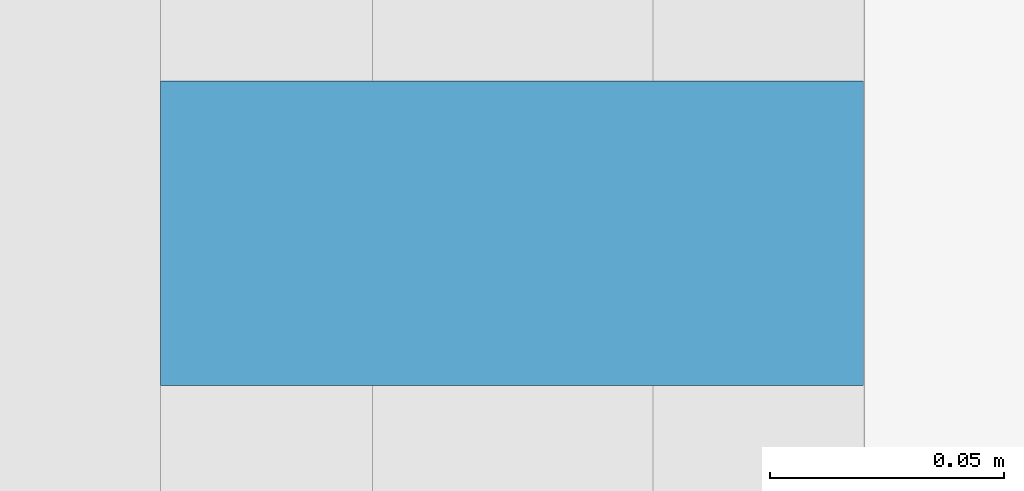
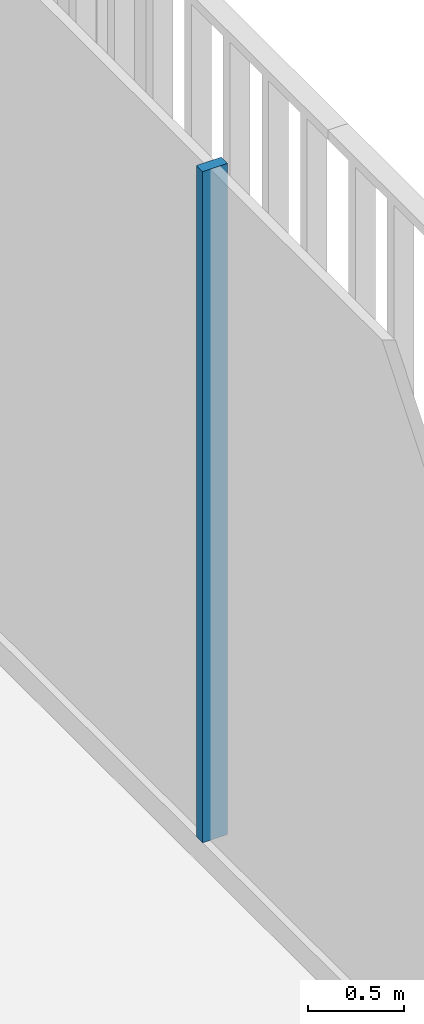
# One storey, part 10 of 20: 1 member, 1 element without a shape of its own.
"""IFC4 building model written with IfcOpenShell, lengths in metres."""

from ifc_helpers import new_model, si_unit, direction, frame, origin, origin_2d, place, context, subcontext, project, spatial, rectangle, extrude, material, layer, layer_set, material_profile, profile_set, type_object, element, aggregate, save


model = new_model("IFC4")

# Units and contexts
model_context = context("Model", 3, precision=1e-05, world=origin(), true_north=direction((0.0, 1.0)))
body_context = subcontext(model_context, "Body", "Model", "MODEL_VIEW")
ifc_project = project(units=[si_unit("LENGTHUNIT", "METRE"), si_unit("AREAUNIT", "SQUARE_METRE"), si_unit("VOLUMEUNIT", "CUBIC_METRE"), si_unit("PLANEANGLEUNIT", "RADIAN"), si_unit("MASSUNIT", "GRAM", prefix="KILO")], contexts=[model_context])

# Site, building, storey
site_placement = place(None, origin())
site = spatial("IfcSite", under=ifc_project, at=site_placement, CompositionType="ELEMENT")
building_placement = place(site_placement, origin())
building = spatial("IfcBuilding", under=site, at=building_placement, Name="Millrace Tower", CompositionType="ELEMENT")
storey_placement = place(building_placement, frame((0.0, 0.0, 108.39990234375)))
storey = spatial("IfcBuildingStorey", under=building, at=storey_placement, Name="L24", CompositionType="ELEMENT", Elevation=108.39990234375)

# Curtain wall, member
ifc_material_1 = material(Name="Aluminium and glass", Category="aluminium")
ifc_layer = layer(ifc_material_1, 0.14990234375)
ifc_layer_set = layer_set([ifc_layer], Name="Aluminium and glass")
curtain_wall_type = type_object("IfcCurtainWallType", Name="CW-3 telecom floor curtain wall", PredefinedType="NOTDEFINED", material=ifc_layer_set)
curtain_wall_placement = place(storey_placement, origin())
curtain_wall = element("IfcCurtainWall", 1, at=curtain_wall_placement, inside=storey, type_object=curtain_wall_type, Name="Curtain wall B-F04 L24", PredefinedType="NOTDEFINED")
ifc_material_2 = material(Name="Aluminium", Category="aluminium")
ifc_material_profile = material_profile(ifc_material_2, rectangle(XDim=0.06494140625, YDim=0.14990234375, at=origin_2d()))
ifc_profile_set = profile_set([ifc_material_profile], Name="Aluminium")
member_type = type_object("IfcMemberType", Name="CW-3 telecom floor curtain wall mullion", PredefinedType="MULLION", material=ifc_profile_set)
member_placement = place(storey_placement, frame((28.27490234375, -2.66748046875, 0.150146484375), z_axis=(0.0, 0.0, 1.0), x_axis=(0.0, 1.0, 0.0)))
member = element("IfcMember", 2, at=member_placement, type_object=member_type, Name="CW3 mullion B-F04.6", PredefinedType="MULLION", context=body_context, shape_type="SweptSolid", body=[
    extrude(rectangle(XDim=0.06494140625, YDim=0.14990234375, at=origin_2d()), origin(), (0.0, 0.0, 1.0), 4.25),
])
aggregate(curtain_wall, [member])

save(model, "model.ifc")
